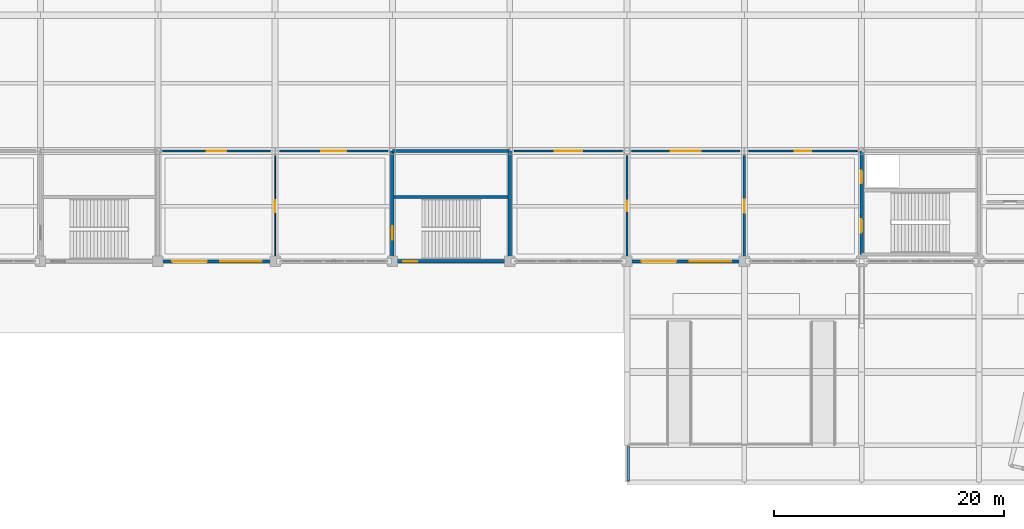
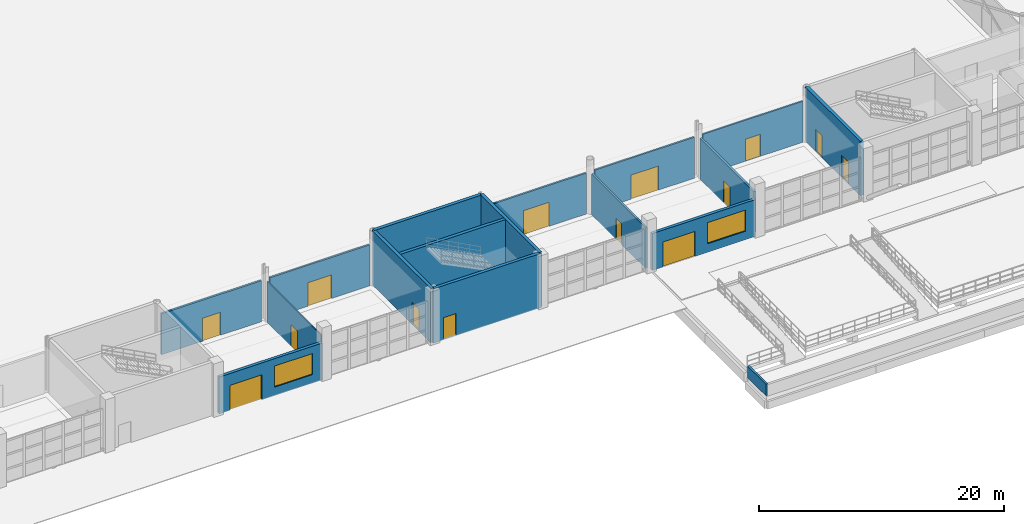
# One storey, part 87 of 124: 17 walls, 14 doors, 2 windows, 16 openings.
"""IFC4 building model written with IfcOpenShell, lengths in metres."""

from ifc_helpers import new_model, si_unit, direction, frame, frame_2d, origin, place, context, subcontext, project, spatial, rectangle, extrude, material, layer, layer_set, type_object, element, fill, save


model = new_model("IFC4")

# Units and contexts
model_context = context("Model", 3, precision=1e-05, world=origin(), true_north=direction((0.0, 1.0)))
body_context = subcontext(model_context, "Body", "Model", "MODEL_VIEW")
ifc_project = project(units=[si_unit("LENGTHUNIT", "METRE"), si_unit("AREAUNIT", "SQUARE_METRE"), si_unit("VOLUMEUNIT", "CUBIC_METRE"), si_unit("PLANEANGLEUNIT", "RADIAN"), si_unit("MASSUNIT", "GRAM", prefix="KILO")], contexts=[model_context])

# Site, building, storey
site_placement = place(None, origin())
site = spatial("IfcSite", under=ifc_project, at=site_placement, CompositionType="ELEMENT")
building_placement = place(site_placement, origin())
building = spatial("IfcBuilding", under=site, at=building_placement, Name="Brelvane Convention Centre", CompositionType="ELEMENT")
storey_placement = place(building_placement, origin())
storey = spatial("IfcBuildingStorey", under=building, at=storey_placement, Name="L00", CompositionType="ELEMENT", Elevation=0.0)

# Wall, openings, door, window
ifc_material_1 = material(Name="Insulated Autoclaved Aerated Concrete Block Grade 1", Category="concrete")
ifc_layer_1 = layer(ifc_material_1, 0.280029296875)
ifc_layer_set_1 = layer_set([ifc_layer_1], Name="Insulated Autoclaved Aerated Concrete Block Grade 1")
wall_type_1 = type_object("IfcWallType", Name="Exterior Wall EW-01", PredefinedType="STANDARD", material=ifc_layer_set_1)
wall_1_placement = place(storey_placement, frame((61.43994140625, 19.199951171875, 0.0), z_axis=(0.0, 0.0, 1.0), x_axis=(1.0, 0.0, 0.0)))
wall_1 = element("IfcWall", 1, at=wall_1_placement, inside=storey, type_object=wall_type_1, Name="Exterior Wall L00 V1S-B07", PredefinedType="STANDARD", context=body_context, shape_type="SweptSolid", body=[
    extrude(rectangle(XDim=9.719970703125, YDim=0.280029296875, at=frame_2d((4.85986328125, 0.0))), origin(), (0.0, 0.0, 1.0), 3.679931640625),
])
opening_1_placement = place(wall_1_placement, frame((1.027099609375, 0.0, 0.0)))
opening_1 = element("IfcOpeningElement", 2, at=opening_1_placement, cuts=wall_1, Name="Opening DR-EX-01", PredefinedType="OPENING", context=body_context, shape_type="SweptSolid", body=[
    extrude(rectangle(XDim=3.0, YDim=2.5, at=frame_2d((1.5, 1.25))), frame((0.0, 0.14990234375, 0.0), z_axis=(0.0, -1.0, 0.0), x_axis=(1.0, 0.0, 0.0)), (0.0, 0.0, 1.0), 0.300048828125),
])
opening_2_placement = place(wall_1_placement, frame((5.197998046875, 0.0, 0.85009765625)))
opening_2 = element("IfcOpeningElement", 3, at=opening_2_placement, cuts=wall_1, Name="Opening WN-03", PredefinedType="OPENING", context=body_context, shape_type="SweptSolid", body=[
    extrude(rectangle(XDim=3.60009765625, YDim=2.10009765625, at=frame_2d((1.800048828125, 1.050048828125))), frame((0.0, 0.14990234375, 0.0), z_axis=(0.0, -1.0, 0.0), x_axis=(1.0, 0.0, 0.0)), (0.0, 0.0, 1.0), 0.300048828125),
])
ifc_material_2 = material(Name="Anodised Aluminium Alloy 6063-T6", Category="aluminium")
door_type_1 = type_object("IfcDoorType", Name="Exterior Door DR-EX-01", OperationType="NOTDEFINED", PredefinedType="DOOR", material=ifc_material_2)
door_1_placement = place(opening_1_placement, frame((3.0, 0.0, 0.0), z_axis=(0.0, 0.0, 1.0), x_axis=(-1.0, 0.0, 0.0)))
door_1 = element("IfcDoor", 4, at=door_1_placement, inside=storey, type_object=door_type_1, Name="Final Exit Door CONC-S7A (DR-EX-01)", OperationType="DOUBLE_DOOR_SINGLE_SWING", OverallHeight=2.5, OverallWidth=3.0, PredefinedType="DOOR", context=body_context, shape_type="SweptSolid", body=[
    extrude(rectangle(XDim=3.0, YDim=2.5, at=frame_2d((1.5, 1.25))), frame((0.0, 0.02490234375, 0.0), z_axis=(0.0, -1.0, 0.0), x_axis=(1.0, 0.0, 0.0)), (0.0, 0.0, 1.0), 0.050048828125),
])
fill(opening_1, door_1)
ifc_material_3 = material(Name="Double Glazed Low-E Laminated Unit")
window_type = type_object("IfcWindowType", Name="Window WN-03", PartitioningType="TRIPLE_PANEL_VERTICAL", PredefinedType="WINDOW", material=ifc_material_3)
window_1_placement = place(opening_2_placement, origin())
window_1 = element("IfcWindow", 5, at=window_1_placement, inside=storey, type_object=window_type, Name="Facade Window L00-V1S-B07-003", OverallHeight=2.10009765625, OverallWidth=3.60009765625, PartitioningType="TRIPLE_PANEL_VERTICAL", PredefinedType="WINDOW", context=body_context, shape_type="SweptSolid", body=[
    extrude(rectangle(XDim=3.60009765625, YDim=2.10009765625, at=frame_2d((1.800048828125, 1.050048828125))), frame((0.0, 0.030029296875, 0.0), z_axis=(0.0, -1.0, 0.0), x_axis=(1.0, 0.0, 0.0)), (0.0, 0.0, 1.0), 0.06005859375),
])
fill(opening_2, window_1)

wall_2_placement = place(storey_placement, frame((102.239990234375, 19.199951171875, 0.0), z_axis=(0.0, 0.0, 1.0), x_axis=(1.0, 0.0, 0.0)))
wall_2 = element("IfcWall", 6, at=wall_2_placement, inside=storey, type_object=wall_type_1, Name="Exterior Wall L00 V1S-B11", PredefinedType="STANDARD", context=body_context, shape_type="SweptSolid", body=[
    extrude(rectangle(XDim=9.719970703125, YDim=0.280029296875, at=frame_2d((4.85986328125, 0.0))), origin(), (0.0, 0.0, 1.0), 3.679931640625),
])
opening_3_placement = place(wall_2_placement, frame((1.027099609375, 0.0, 0.0)))
opening_3 = element("IfcOpeningElement", 7, at=opening_3_placement, cuts=wall_2, Name="Opening DR-EX-01", PredefinedType="OPENING", context=body_context, shape_type="SweptSolid", body=[
    extrude(rectangle(XDim=3.0, YDim=2.5, at=frame_2d((1.5, 1.25))), frame((0.0, 0.14990234375, 0.0), z_axis=(0.0, -1.0, 0.0), x_axis=(1.0, 0.0, 0.0)), (0.0, 0.0, 1.0), 0.300048828125),
])
opening_4_placement = place(wall_2_placement, frame((5.197998046875, 0.0, 0.85009765625)))
opening_4 = element("IfcOpeningElement", 8, at=opening_4_placement, cuts=wall_2, Name="Opening WN-03", PredefinedType="OPENING", context=body_context, shape_type="SweptSolid", body=[
    extrude(rectangle(XDim=3.60009765625, YDim=2.10009765625, at=frame_2d((1.800048828125, 1.050048828125))), frame((0.0, 0.14990234375, 0.0), z_axis=(0.0, -1.0, 0.0), x_axis=(1.0, 0.0, 0.0)), (0.0, 0.0, 1.0), 0.300048828125),
])
door_2_placement = place(opening_3_placement, frame((3.0, 0.0, 0.0), z_axis=(0.0, 0.0, 1.0), x_axis=(-1.0, 0.0, 0.0)))
door_2 = element("IfcDoor", 9, at=door_2_placement, inside=storey, type_object=door_type_1, Name="Final Exit Door CONC-S11A (DR-EX-01)", OperationType="DOUBLE_DOOR_SINGLE_SWING", OverallHeight=2.5, OverallWidth=3.0, PredefinedType="DOOR", context=body_context, shape_type="SweptSolid", body=[
    extrude(rectangle(XDim=3.0, YDim=2.5, at=frame_2d((1.5, 1.25))), frame((0.0, 0.02490234375, 0.0), z_axis=(0.0, -1.0, 0.0), x_axis=(1.0, 0.0, 0.0)), (0.0, 0.0, 1.0), 0.050048828125),
])
fill(opening_3, door_2)
window_2_placement = place(opening_4_placement, origin())
window_2 = element("IfcWindow", 10, at=window_2_placement, inside=storey, type_object=window_type, Name="Facade Window L00-V1S-B11-004", OverallHeight=2.10009765625, OverallWidth=3.60009765625, PartitioningType="TRIPLE_PANEL_VERTICAL", PredefinedType="WINDOW", context=body_context, shape_type="SweptSolid", body=[
    extrude(rectangle(XDim=3.60009765625, YDim=2.10009765625, at=frame_2d((1.800048828125, 1.050048828125))), frame((0.0, 0.030029296875, 0.0), z_axis=(0.0, -1.0, 0.0), x_axis=(1.0, 0.0, 0.0)), (0.0, 0.0, 1.0), 0.06005859375),
])
fill(opening_4, window_2)

# Wall
ifc_material_4 = material(Name="Concrete M40", Category="concrete")
ifc_layer_2 = layer(ifc_material_4, 0.199951171875)
ifc_layer_set_2 = layer_set([ifc_layer_2], Name="Concrete M40")
wall_type_2 = type_object("IfcWallType", Name="Exterior Wall PW-01", PredefinedType="PARAPET", material=ifc_layer_set_2)
wall_3_placement = place(storey_placement, frame((102.10009765625, 3.1201171875, -0.89990234375), z_axis=(0.0, 0.0, 1.0), x_axis=(0.0, -1.0, 0.0)))
element("IfcWall", 11, at=wall_3_placement, inside=storey, type_object=wall_type_2, Name="Lower Boulevard Promenade Parapet 1", PredefinedType="PARAPET", context=body_context, shape_type="SweptSolid", body=[
    extrude(rectangle(XDim=3.02001953125, YDim=0.199951171875, at=frame_2d((1.510009765625, 0.0))), origin(), (0.0, 0.0, 1.0), 1.14990234375),
])

# Wall, opening, door
ifc_material_5 = material(Name="Fire-Rated Acoustic Gypsum Partition Board Grade A")
ifc_layer_3 = layer(ifc_material_5, 0.14501953125)
ifc_layer_set_3 = layer_set([ifc_layer_3], Name="Fire-Rated Acoustic Gypsum Partition Board Grade A")
wall_type_3 = type_object("IfcWallType", Name="Interior Wall IW-AC-145", PredefinedType="PARTITIONING", material=ifc_layer_set_3)
wall_4_placement = place(storey_placement, frame((112.60009765625, 28.800048828125, 0.0), z_axis=(0.0, 0.0, 1.0), x_axis=(1.0, 0.0, 0.0)))
wall_4 = element("IfcWall", 12, at=wall_4_placement, inside=storey, type_object=wall_type_3, Name="Interior Partition L00-EXH-S12", PredefinedType="PARTITIONING", context=body_context, shape_type="SweptSolid", body=[
    extrude(rectangle(XDim=9.39990234375, YDim=0.14501953125, at=frame_2d((4.699951171875, 0.0))), origin(), (0.0, 0.0, 1.0), 4.080078125),
])
opening_5_placement = place(wall_4_placement, frame((4.0, 0.0, 0.0)))
opening_5 = element("IfcOpeningElement", 13, at=opening_5_placement, cuts=wall_4, Name="Opening DR-IN-10", PredefinedType="OPENING", context=body_context, shape_type="SweptSolid", body=[
    extrude(rectangle(XDim=1.39990234375, YDim=2.199951171875, at=frame_2d((0.699951171875, 1.10009765625))), frame((0.0, 0.08251953125, 0.0), z_axis=(0.0, -1.0, 0.0), x_axis=(1.0, 0.0, 0.0)), (0.0, 0.0, 1.0), 0.1650390625),
])
ifc_material_6 = material(Name="Galvanised Hollow-Metal Fire Door Steel E250", Category="steel")
door_type_2 = type_object("IfcDoorType", Name="Interior Door DR-IN-10", OperationType="NOTDEFINED", PredefinedType="DOOR", material=ifc_material_6)
door_3_placement = place(opening_5_placement, origin())
door_3 = element("IfcDoor", 14, at=door_3_placement, inside=storey, type_object=door_type_2, Name="Interior Door L00-EXH-S12 (DR-IN-10)", OperationType="DOUBLE_DOOR_SINGLE_SWING", OverallHeight=2.199951171875, OverallWidth=1.39990234375, PredefinedType="DOOR", context=body_context, shape_type="SweptSolid", body=[
    extrude(rectangle(XDim=1.39990234375, YDim=2.199951171875, at=frame_2d((0.699951171875, 1.10009765625))), frame((0.0, 0.02490234375, 0.0), z_axis=(0.0, -1.0, 0.0), x_axis=(1.0, 0.0, 0.0)), (0.0, 0.0, 1.0), 0.050048828125),
])
fill(opening_5, door_3)

ifc_material_7 = material(Name="Fire-Rated Acoustic Gypsum Partition Board Grade A")
ifc_layer_4 = layer(ifc_material_7, 0.155029296875)
ifc_layer_set_4 = layer_set([ifc_layer_4], Name="Fire-Rated Acoustic Gypsum Partition Board Grade A")
wall_type_4 = type_object("IfcWallType", Name="Interior Wall IW-AC-155", PredefinedType="PARTITIONING", material=ifc_layer_set_4)
wall_5_placement = place(storey_placement, frame((102.39990234375, 28.800048828125, 0.0), z_axis=(0.0, 0.0, 1.0), x_axis=(1.0, 0.0, 0.0)))
wall_5 = element("IfcWall", 15, at=wall_5_placement, inside=storey, type_object=wall_type_4, Name="Interior Partition L00-EXH-S11", PredefinedType="PARTITIONING", context=body_context, shape_type="SweptSolid", body=[
    extrude(rectangle(XDim=9.400146484375, YDim=0.155029296875, at=frame_2d((4.7001953125, 0.0))), origin(), (0.0, 0.0, 1.0), 4.080078125),
])
opening_6_placement = place(wall_5_placement, frame((3.39990234375, 0.0, 0.0)))
opening_6 = element("IfcOpeningElement", 16, at=opening_6_placement, cuts=wall_5, Name="Opening DR-IN-09", PredefinedType="OPENING", context=body_context, shape_type="SweptSolid", body=[
    extrude(rectangle(XDim=2.60009765625, YDim=2.39990234375, at=frame_2d((1.300048828125, 1.199951171875))), frame((0.0, 0.08740234375, 0.0), z_axis=(0.0, -1.0, 0.0), x_axis=(1.0, 0.0, 0.0)), (0.0, 0.0, 1.0), 0.175048828125),
])
ifc_material_8 = material(Name="Galvanised Hollow-Metal Fire Door Steel E250", Category="steel")
door_type_3 = type_object("IfcDoorType", Name="Interior Door DR-IN-09", OperationType="NOTDEFINED", PredefinedType="DOOR", material=ifc_material_8)
door_4_placement = place(opening_6_placement, origin())
door_4 = element("IfcDoor", 17, at=door_4_placement, inside=storey, type_object=door_type_3, Name="Interior Door L00-EXH-S11 (DR-IN-09)", OperationType="DOUBLE_DOOR_SINGLE_SWING", OverallHeight=2.39990234375, OverallWidth=2.60009765625, PredefinedType="DOOR", context=body_context, shape_type="SweptSolid", body=[
    extrude(rectangle(XDim=2.60009765625, YDim=2.39990234375, at=frame_2d((1.300048828125, 1.199951171875))), frame((0.0, 0.02490234375, 0.0), z_axis=(0.0, -1.0, 0.0), x_axis=(1.0, 0.0, 0.0)), (0.0, 0.0, 1.0), 0.050048828125),
])
fill(opening_6, door_4)

ifc_material_9 = material(Name="Fire-Rated Acoustic Gypsum Partition Board Grade A")
ifc_layer_5 = layer(ifc_material_9, 0.1650390625)
ifc_layer_set_5 = layer_set([ifc_layer_5], Name="Fire-Rated Acoustic Gypsum Partition Board Grade A")
wall_type_5 = type_object("IfcWallType", Name="Interior Wall IW-AC-165", PredefinedType="PARTITIONING", material=ifc_layer_set_5)
wall_6_placement = place(storey_placement, frame((92.199951171875, 28.800048828125, 0.0), z_axis=(0.0, 0.0, 1.0), x_axis=(1.0, 0.0, 0.0)))
wall_6 = element("IfcWall", 18, at=wall_6_placement, inside=storey, type_object=wall_type_5, Name="Interior Partition L00-EXH-S10", PredefinedType="PARTITIONING", context=body_context, shape_type="SweptSolid", body=[
    extrude(rectangle(XDim=9.400146484375, YDim=0.1650390625, at=frame_2d((4.7001953125, 0.0))), origin(), (0.0, 0.0, 1.0), 4.080078125),
])
opening_7_placement = place(wall_6_placement, frame((3.5, 0.0, 0.0)))
opening_7 = element("IfcOpeningElement", 19, at=opening_7_placement, cuts=wall_6, Name="Opening DR-IN-08", PredefinedType="OPENING", context=body_context, shape_type="SweptSolid", body=[
    extrude(rectangle(XDim=2.39990234375, YDim=2.39990234375, at=frame_2d((1.199951171875, 1.199951171875))), frame((0.0, 0.092529296875, 0.0), z_axis=(0.0, -1.0, 0.0), x_axis=(1.0, 0.0, 0.0)), (0.0, 0.0, 1.0), 0.18505859375),
])
ifc_material_10 = material(Name="Solid-Core Fire-Rated Hardwood Leaf Grade 1", Category="wood")
door_type_4 = type_object("IfcDoorType", Name="Interior Door DR-IN-08", OperationType="NOTDEFINED", PredefinedType="DOOR", material=ifc_material_10)
door_5_placement = place(opening_7_placement, origin())
door_5 = element("IfcDoor", 20, at=door_5_placement, inside=storey, type_object=door_type_4, Name="Interior Door L00-EXH-S10 (DR-IN-08)", OperationType="DOUBLE_DOOR_SINGLE_SWING", OverallHeight=2.39990234375, OverallWidth=2.39990234375, PredefinedType="DOOR", context=body_context, shape_type="SweptSolid", body=[
    extrude(rectangle(XDim=2.39990234375, YDim=2.39990234375, at=frame_2d((1.199951171875, 1.199951171875))), frame((0.0, 0.02490234375, 0.0), z_axis=(0.0, -1.0, 0.0), x_axis=(1.0, 0.0, 0.0)), (0.0, 0.0, 1.0), 0.050048828125),
])
fill(opening_7, door_5)

ifc_material_11 = material(Name="Fire-Rated Acoustic Gypsum Partition Board Grade A")
ifc_layer_6 = layer(ifc_material_11, 0.175048828125)
ifc_layer_set_6 = layer_set([ifc_layer_6], Name="Fire-Rated Acoustic Gypsum Partition Board Grade A")
wall_type_6 = type_object("IfcWallType", Name="Interior Wall IW-AC-175", PredefinedType="PARTITIONING", material=ifc_layer_set_6)
wall_7_placement = place(storey_placement, frame((71.800048828125, 28.800048828125, 0.0), z_axis=(0.0, 0.0, 1.0), x_axis=(1.0, 0.0, 0.0)))
wall_7 = element("IfcWall", 21, at=wall_7_placement, inside=storey, type_object=wall_type_6, Name="Interior Partition L00-EXH-S08", PredefinedType="PARTITIONING", context=body_context, shape_type="SweptSolid", body=[
    extrude(rectangle(XDim=9.39990234375, YDim=0.175048828125, at=frame_2d((4.699951171875, 0.0))), origin(), (0.0, 0.0, 1.0), 4.080078125),
])
opening_8_placement = place(wall_7_placement, frame((3.60009765625, 0.0, 0.0)))
opening_8 = element("IfcOpeningElement", 22, at=opening_8_placement, cuts=wall_7, Name="Opening DR-IN-07", PredefinedType="OPENING", context=body_context, shape_type="SweptSolid", body=[
    extrude(rectangle(XDim=2.199951171875, YDim=2.35009765625, at=frame_2d((1.10009765625, 1.175048828125))), frame((0.0, 0.097412109375, 0.0), z_axis=(0.0, -1.0, 0.0), x_axis=(1.0, 0.0, 0.0)), (0.0, 0.0, 1.0), 0.195068359375),
])
ifc_material_12 = material(Name="Solid-Core Fire-Rated Hardwood Leaf Grade 1", Category="wood")
door_type_5 = type_object("IfcDoorType", Name="Interior Door DR-IN-07", OperationType="NOTDEFINED", PredefinedType="DOOR", material=ifc_material_12)
door_6_placement = place(opening_8_placement, origin())
door_6 = element("IfcDoor", 23, at=door_6_placement, inside=storey, type_object=door_type_5, Name="Interior Door L00-EXH-S08 (DR-IN-07)", OperationType="DOUBLE_DOOR_SINGLE_SWING", OverallHeight=2.35009765625, OverallWidth=2.199951171875, PredefinedType="DOOR", context=body_context, shape_type="SweptSolid", body=[
    extrude(rectangle(XDim=2.199951171875, YDim=2.35009765625, at=frame_2d((1.10009765625, 1.175048828125))), frame((0.0, 0.02490234375, 0.0), z_axis=(0.0, -1.0, 0.0), x_axis=(1.0, 0.0, 0.0)), (0.0, 0.0, 1.0), 0.050048828125),
])
fill(opening_8, door_6)

wall_8_placement = place(storey_placement, frame((102.0, 19.60009765625, 0.0), z_axis=(0.0, 0.0, 1.0), x_axis=(0.0, 1.0, 0.0)))
wall_8 = element("IfcWall", 24, at=wall_8_placement, inside=storey, type_object=wall_type_6, Name="Interior Partition L00-FOYE1", PredefinedType="PARTITIONING", context=body_context, shape_type="SweptSolid", body=[
    extrude(rectangle(XDim=8.7998046875, YDim=0.175048828125, at=frame_2d((4.39990234375, 0.0))), origin(), (0.0, 0.0, 1.0), 4.080078125),
])
opening_9_placement = place(wall_8_placement, frame((3.93994140625, 0.0, 0.0)))
opening_9 = element("IfcOpeningElement", 25, at=opening_9_placement, cuts=wall_8, Name="Opening DR-IN-03L", PredefinedType="OPENING", context=body_context, shape_type="SweptSolid", body=[
    extrude(rectangle(XDim=0.919921875, YDim=2.10009765625, at=frame_2d((0.4599609375, 1.050048828125))), frame((0.0, 0.097412109375, 0.0), z_axis=(0.0, -1.0, 0.0), x_axis=(1.0, 0.0, 0.0)), (0.0, 0.0, 1.0), 0.195068359375),
])
ifc_material_13 = material(Name="Solid-Core Fire-Rated Hardwood Leaf Grade 1", Category="wood")
door_type_6 = type_object("IfcDoorType", Name="Interior Door DR-IN-03L", OperationType="NOTDEFINED", PredefinedType="DOOR", material=ifc_material_13)
door_7_placement = place(opening_9_placement, origin())
door_7 = element("IfcDoor", 26, at=door_7_placement, inside=storey, type_object=door_type_6, Name="Interior Door L00-FOYE1 (DR-IN-03L)", OperationType="SINGLE_SWING_LEFT", OverallHeight=2.10009765625, OverallWidth=0.919921875, PredefinedType="DOOR", context=body_context, shape_type="SweptSolid", body=[
    extrude(rectangle(XDim=0.919921875, YDim=2.10009765625, at=frame_2d((0.4599609375, 1.050048828125))), frame((0.0, 0.02490234375, 0.0), z_axis=(0.0, -1.0, 0.0), x_axis=(1.0, 0.0, 0.0)), (0.0, 0.0, 1.0), 0.050048828125),
])
fill(opening_9, door_7)

ifc_material_14 = material(Name="Fire-Rated Acoustic Gypsum Partition Board Grade A")
ifc_layer_7 = layer(ifc_material_14, 0.18505859375)
ifc_layer_set_7 = layer_set([ifc_layer_7], Name="Fire-Rated Acoustic Gypsum Partition Board Grade A")
wall_type_7 = type_object("IfcWallType", Name="Interior Wall IW-AC-185", PredefinedType="PARTITIONING", material=ifc_layer_set_7)
wall_9_placement = place(storey_placement, frame((61.60009765625, 28.800048828125, 0.0), z_axis=(0.0, 0.0, 1.0), x_axis=(1.0, 0.0, 0.0)))
wall_9 = element("IfcWall", 27, at=wall_9_placement, inside=storey, type_object=wall_type_7, Name="Interior Partition L00-EXH-S07", PredefinedType="PARTITIONING", context=body_context, shape_type="SweptSolid", body=[
    extrude(rectangle(XDim=9.39990234375, YDim=0.18505859375, at=frame_2d((4.699951171875, 0.0))), origin(), (0.0, 0.0, 1.0), 4.080078125),
])
opening_10_placement = place(wall_9_placement, frame((3.85009765625, 0.0, 0.0)))
opening_10 = element("IfcOpeningElement", 28, at=opening_10_placement, cuts=wall_9, Name="Opening DR-IN-06", PredefinedType="OPENING", context=body_context, shape_type="SweptSolid", body=[
    extrude(rectangle(XDim=1.699951171875, YDim=2.300048828125, at=frame_2d((0.85009765625, 1.14990234375))), frame((0.0, 0.1025390625, 0.0), z_axis=(0.0, -1.0, 0.0), x_axis=(1.0, 0.0, 0.0)), (0.0, 0.0, 1.0), 0.205078125),
])
ifc_material_15 = material(Name="Solid-Core Fire-Rated Hardwood Leaf Grade 1", Category="wood")
door_type_7 = type_object("IfcDoorType", Name="Interior Door DR-IN-06", OperationType="NOTDEFINED", PredefinedType="DOOR", material=ifc_material_15)
door_8_placement = place(opening_10_placement, origin())
door_8 = element("IfcDoor", 29, at=door_8_placement, inside=storey, type_object=door_type_7, Name="Interior Door L00-EXH-S07 (DR-IN-06)", OperationType="DOUBLE_DOOR_SINGLE_SWING", OverallHeight=2.300048828125, OverallWidth=1.699951171875, PredefinedType="DOOR", context=body_context, shape_type="SweptSolid", body=[
    extrude(rectangle(XDim=1.699951171875, YDim=2.300048828125, at=frame_2d((0.85009765625, 1.14990234375))), frame((0.0, 0.02490234375, 0.0), z_axis=(0.0, -1.0, 0.0), x_axis=(1.0, 0.0, 0.0)), (0.0, 0.0, 1.0), 0.050048828125),
])
fill(opening_10, door_8)

ifc_material_16 = material(Name="Fire-Rated Acoustic Gypsum Partition Board Grade A")
ifc_layer_8 = layer(ifc_material_16, 0.199951171875)
ifc_layer_set_8 = layer_set([ifc_layer_8], Name="Fire-Rated Acoustic Gypsum Partition Board Grade A")
wall_type_8 = type_object("IfcWallType", Name="Interior Wall IW-FR-200", PredefinedType="PARTITIONING", material=ifc_layer_set_8)
wall_10_placement = place(storey_placement, frame((112.199951171875, 19.60009765625, 0.0), z_axis=(0.0, 0.0, 1.0), x_axis=(0.0, 1.0, 0.0)))
wall_10 = element("IfcWall", 30, at=wall_10_placement, inside=storey, type_object=wall_type_8, Name="Interior Partition L00-FOYE2", PredefinedType="PARTITIONING", context=body_context, shape_type="SweptSolid", body=[
    extrude(rectangle(XDim=8.7998046875, YDim=0.199951171875, at=frame_2d((4.39990234375, 0.0))), origin(), (0.0, 0.0, 1.0), 4.080078125),
])
opening_11_placement = place(wall_10_placement, frame((3.85009765625, 0.0, 0.0)))
opening_11 = element("IfcOpeningElement", 31, at=opening_11_placement, cuts=wall_10, Name="Opening DR-IN-02L", PredefinedType="OPENING", context=body_context, shape_type="SweptSolid", body=[
    extrude(rectangle(XDim=1.10009765625, YDim=2.199951171875, at=frame_2d((0.550048828125, 1.10009765625))), frame((0.0, 0.10986328125, 0.0), z_axis=(0.0, -1.0, 0.0), x_axis=(1.0, 0.0, 0.0)), (0.0, 0.0, 1.0), 0.219970703125),
])
ifc_material_17 = material(Name="Solid-Core Fire-Rated Hardwood Leaf Grade 1", Category="wood")
door_type_8 = type_object("IfcDoorType", Name="Interior Door DR-IN-02L", OperationType="NOTDEFINED", PredefinedType="DOOR", material=ifc_material_17)
door_9_placement = place(opening_11_placement, origin())
door_9 = element("IfcDoor", 32, at=door_9_placement, inside=storey, type_object=door_type_8, Name="Interior Door L00-FOYE2 (DR-IN-02L)", OperationType="SINGLE_SWING_LEFT", OverallHeight=2.199951171875, OverallWidth=1.10009765625, PredefinedType="DOOR", context=body_context, shape_type="SweptSolid", body=[
    extrude(rectangle(XDim=1.10009765625, YDim=2.199951171875, at=frame_2d((0.550048828125, 1.10009765625))), frame((0.0, 0.02490234375, 0.0), z_axis=(0.0, -1.0, 0.0), x_axis=(1.0, 0.0, 0.0)), (0.0, 0.0, 1.0), 0.050048828125),
])
fill(opening_11, door_9)

ifc_material_18 = material(Name="Fire-Rated Acoustic Gypsum Partition Board Grade A")
ifc_layer_9 = layer(ifc_material_18, 0.10498046875)
ifc_layer_set_9 = layer_set([ifc_layer_9], Name="Fire-Rated Acoustic Gypsum Partition Board Grade A")
wall_type_9 = type_object("IfcWallType", Name="Interior Wall IW-PT-105", PredefinedType="PARTITIONING", material=ifc_layer_set_9)
wall_11_placement = place(storey_placement, frame((71.39990234375, 19.60009765625, 0.0), z_axis=(0.0, 0.0, 1.0), x_axis=(0.0, 1.0, 0.0)))
wall_11 = element("IfcWall", 33, at=wall_11_placement, inside=storey, type_object=wall_type_9, Name="Interior Partition L00-TICK1", PredefinedType="PARTITIONING", context=body_context, shape_type="SweptSolid", body=[
    extrude(rectangle(XDim=8.7998046875, YDim=0.10498046875, at=frame_2d((4.39990234375, 0.0))), origin(), (0.0, 0.0, 1.0), 4.080078125),
])
opening_12_placement = place(wall_11_placement, frame((3.875, 0.0, 0.0)))
opening_12 = element("IfcOpeningElement", 34, at=opening_12_placement, cuts=wall_11, Name="Opening DR-IN-01R", PredefinedType="OPENING", context=body_context, shape_type="SweptSolid", body=[
    extrude(rectangle(XDim=1.050048828125, YDim=2.14990234375, at=frame_2d((0.52490234375, 1.074951171875))), frame((0.0, 0.0625, 0.0), z_axis=(0.0, -1.0, 0.0), x_axis=(1.0, 0.0, 0.0)), (0.0, 0.0, 1.0), 0.125),
])
ifc_material_19 = material(Name="Solid-Core Fire-Rated Hardwood Leaf Grade 1", Category="wood")
door_type_9 = type_object("IfcDoorType", Name="Interior Door DR-IN-01R", OperationType="NOTDEFINED", PredefinedType="DOOR", material=ifc_material_19)
door_10_placement = place(opening_12_placement, origin())
door_10 = element("IfcDoor", 35, at=door_10_placement, inside=storey, type_object=door_type_9, Name="Interior Door L00-TICK1 (DR-IN-01R)", OperationType="SINGLE_SWING_RIGHT", OverallHeight=2.14990234375, OverallWidth=1.050048828125, PredefinedType="DOOR", context=body_context, shape_type="SweptSolid", body=[
    extrude(rectangle(XDim=1.050048828125, YDim=2.14990234375, at=frame_2d((0.52490234375, 1.074951171875))), frame((0.0, 0.02490234375, 0.0), z_axis=(0.0, -1.0, 0.0), x_axis=(1.0, 0.0, 0.0)), (0.0, 0.0, 1.0), 0.050048828125),
])
fill(opening_12, door_10)

# Wall, openings, doors
ifc_material_20 = material(Name="Concrete M50", Category="concrete")
ifc_layer_10 = layer(ifc_material_20, 0.300048828125)
ifc_layer_set_10 = layer_set([ifc_layer_10], Name="Concrete M50")
wall_type_10 = type_object("IfcWallType", Name="Structural Wall WL-CORE-300", PredefinedType="SHEAR", material=ifc_layer_set_10)
wall_12_placement = place(storey_placement, frame((122.39990234375, 19.800048828125, 0.0), z_axis=(0.0, 0.0, 1.0), x_axis=(0.0, 1.0, 0.0)))
wall_12 = element("IfcWall", 36, at=wall_12_placement, inside=storey, type_object=wall_type_10, Name="Core C2 Shear Wall W (L00)", PredefinedType="SHEAR", context=body_context, shape_type="SweptSolid", body=[
    extrude(rectangle(XDim=9.0, YDim=0.300048828125, at=frame_2d((4.5, 0.0))), origin(), (0.0, 0.0, 1.0), 5.39990234375),
])
opening_13_placement = place(wall_12_placement, frame((1.89990234375, 0.0, 0.0)))
opening_13 = element("IfcOpeningElement", 37, at=opening_13_placement, cuts=wall_12, Name="Opening DR-IN-04L", PredefinedType="OPENING", context=body_context, shape_type="SweptSolid", body=[
    extrude(rectangle(XDim=1.159912109375, YDim=2.199951171875, at=frame_2d((0.580078125, 1.10009765625))), frame((0.0, 0.159912109375, 0.0), z_axis=(0.0, -1.0, 0.0), x_axis=(1.0, 0.0, 0.0)), (0.0, 0.0, 1.0), 0.320068359375),
])
opening_14_placement = place(wall_12_placement, frame((6.199951171875, 0.0, 0.0)))
opening_14 = element("IfcOpeningElement", 38, at=opening_14_placement, cuts=wall_12, Name="Opening LD-02", PredefinedType="OPENING", context=body_context, shape_type="SweptSolid", body=[
    extrude(rectangle(XDim=1.10009765625, YDim=2.199951171875, at=frame_2d((0.550048828125, 1.10009765625))), frame((0.0, 0.159912109375, 0.0), z_axis=(0.0, -1.0, 0.0), x_axis=(1.0, 0.0, 0.0)), (0.0, 0.0, 1.0), 0.320068359375),
])
ifc_material_21 = material(Name="Galvanised Hollow-Metal Fire Door Steel E250", Category="steel")
door_type_10 = type_object("IfcDoorType", Name="Interior Door DR-IN-04L", OperationType="NOTDEFINED", PredefinedType="DOOR", material=ifc_material_21)
door_11_placement = place(opening_13_placement, origin())
door_11 = element("IfcDoor", 39, at=door_11_placement, inside=storey, type_object=door_type_10, Name="Stair ST-02 Door (L00)", OperationType="SINGLE_SWING_LEFT", OverallHeight=2.199951171875, OverallWidth=1.159912109375, PredefinedType="DOOR", context=body_context, shape_type="SweptSolid", body=[
    extrude(rectangle(XDim=1.159912109375, YDim=2.199951171875, at=frame_2d((0.580078125, 1.10009765625))), frame((0.0, 0.02490234375, 0.0), z_axis=(0.0, -1.0, 0.0), x_axis=(1.0, 0.0, 0.0)), (0.0, 0.0, 1.0), 0.050048828125),
])
fill(opening_13, door_11)
ifc_material_22 = material(Name="Galvanised Hollow-Metal Fire Door Steel E250", Category="steel")
door_type_11 = type_object("IfcDoorType", Name="Interior Door LD-02", OperationType="NOTDEFINED", PredefinedType="DOOR", material=ifc_material_22)
door_12_placement = place(opening_14_placement, origin())
door_12 = element("IfcDoor", 40, at=door_12_placement, inside=storey, type_object=door_type_11, Name="Lift LP-01 Landing Door (L00)", OperationType="SLIDING_TO_RIGHT", OverallHeight=2.199951171875, OverallWidth=1.10009765625, PredefinedType="DOOR", context=body_context, shape_type="SweptSolid", body=[
    extrude(rectangle(XDim=1.10009765625, YDim=2.199951171875, at=frame_2d((0.550048828125, 1.10009765625))), frame((0.0, 0.02490234375, 0.0), z_axis=(0.0, -1.0, 0.0), x_axis=(1.0, 0.0, 0.0)), (0.0, 0.0, 1.0), 0.050048828125),
])
fill(opening_14, door_12)

# Wall, opening, door
wall_13_placement = place(storey_placement, frame((81.60009765625, 19.199951171875, 0.0), z_axis=(0.0, 0.0, 1.0), x_axis=(1.0, 0.0, 0.0)))
wall_13 = element("IfcWall", 41, at=wall_13_placement, inside=storey, type_object=wall_type_10, Name="Stair Core ST-10 Wall S (L00)", PredefinedType="SHEAR", context=body_context, shape_type="SweptSolid", body=[
    extrude(rectangle(XDim=10.199951171875, YDim=0.300048828125, at=frame_2d((5.10009765625, 0.0))), origin(), (0.0, 0.0, 1.0), 5.39990234375),
])
opening_15_placement = place(wall_13_placement, frame((0.949951171875, 0.0, 0.0)))
opening_15 = element("IfcOpeningElement", 42, at=opening_15_placement, cuts=wall_13, Name="Opening DR-EX-08", PredefinedType="OPENING", context=body_context, shape_type="SweptSolid", body=[
    extrude(rectangle(XDim=1.199951171875, YDim=2.199951171875, at=frame_2d((0.60009765625, 1.10009765625))), frame((0.0, 0.159912109375, 0.0), z_axis=(0.0, -1.0, 0.0), x_axis=(1.0, 0.0, 0.0)), (0.0, 0.0, 1.0), 0.320068359375),
])
ifc_material_23 = material(Name="Anodised Aluminium Alloy 6063-T6", Category="aluminium")
door_type_12 = type_object("IfcDoorType", Name="Exterior Door DR-EX-08", OperationType="NOTDEFINED", PredefinedType="DOOR", material=ifc_material_23)
door_13_placement = place(opening_15_placement, frame((1.199951171875, 0.0, 0.0), z_axis=(0.0, 0.0, 1.0), x_axis=(-1.0, 0.0, 0.0)))
door_13 = element("IfcDoor", 43, at=door_13_placement, inside=storey, type_object=door_type_12, Name="Stair ST-10 Final Exit Door", OperationType="SINGLE_SWING_LEFT", OverallHeight=2.199951171875, OverallWidth=1.199951171875, PredefinedType="DOOR", context=body_context, shape_type="SweptSolid", body=[
    extrude(rectangle(XDim=1.199951171875, YDim=2.199951171875, at=frame_2d((0.60009765625, 1.10009765625))), frame((0.0, 0.02490234375, 0.0), z_axis=(0.0, -1.0, 0.0), x_axis=(1.0, 0.0, 0.0)), (0.0, 0.0, 1.0), 0.050048828125),
])
fill(opening_15, door_13)

# Wall
wall_14_placement = place(storey_placement, frame((81.60009765625, 28.800048828125, 0.0), z_axis=(0.0, 0.0, 1.0), x_axis=(1.0, 0.0, 0.0)))
element("IfcWall", 44, at=wall_14_placement, inside=storey, type_object=wall_type_10, Name="Stair Core ST-10 Wall N (L00)", PredefinedType="SHEAR", context=body_context, shape_type="SweptSolid", body=[
    extrude(rectangle(XDim=10.199951171875, YDim=0.300048828125, at=frame_2d((5.10009765625, 0.0))), origin(), (0.0, 0.0, 1.0), 5.39990234375),
])

# Wall, opening, door
wall_15_placement = place(storey_placement, frame((81.60009765625, 19.199951171875, 0.0), z_axis=(0.0, 0.0, 1.0), x_axis=(0.0, 1.0, 0.0)))
wall_15 = element("IfcWall", 45, at=wall_15_placement, inside=storey, type_object=wall_type_10, Name="Stair Core ST-10 Wall W (L00)", PredefinedType="SHEAR", context=body_context, shape_type="SweptSolid", body=[
    extrude(rectangle(XDim=9.60009765625, YDim=0.300048828125, at=frame_2d((4.800048828125, 0.0))), origin(), (0.0, 0.0, 1.0), 5.39990234375),
])
opening_16_placement = place(wall_15_placement, frame((1.89990234375, 0.0, 0.0)))
opening_16 = element("IfcOpeningElement", 46, at=opening_16_placement, cuts=wall_15, Name="Opening DR-IN-04L", PredefinedType="OPENING", context=body_context, shape_type="SweptSolid", body=[
    extrude(rectangle(XDim=1.159912109375, YDim=2.199951171875, at=frame_2d((0.580078125, 1.10009765625))), frame((0.0, 0.159912109375, 0.0), z_axis=(0.0, -1.0, 0.0), x_axis=(1.0, 0.0, 0.0)), (0.0, 0.0, 1.0), 0.320068359375),
])
door_14_placement = place(opening_16_placement, origin())
door_14 = element("IfcDoor", 47, at=door_14_placement, inside=storey, type_object=door_type_10, Name="Stair ST-10 Entry Door (L00)", OperationType="SINGLE_SWING_LEFT", OverallHeight=2.199951171875, OverallWidth=1.159912109375, PredefinedType="DOOR", context=body_context, shape_type="SweptSolid", body=[
    extrude(rectangle(XDim=1.159912109375, YDim=2.199951171875, at=frame_2d((0.580078125, 1.10009765625))), frame((0.0, 0.02490234375, 0.0), z_axis=(0.0, -1.0, 0.0), x_axis=(1.0, 0.0, 0.0)), (0.0, 0.0, 1.0), 0.050048828125),
])
fill(opening_16, door_14)

# Walls
wall_16_placement = place(storey_placement, frame((91.800048828125, 19.199951171875, 0.0), z_axis=(0.0, 0.0, 1.0), x_axis=(0.0, 1.0, 0.0)))
element("IfcWall", 48, at=wall_16_placement, inside=storey, type_object=wall_type_10, Name="Stair Core ST-10 Wall E (L00)", PredefinedType="SHEAR", context=body_context, shape_type="SweptSolid", body=[
    extrude(rectangle(XDim=9.60009765625, YDim=0.300048828125, at=frame_2d((4.800048828125, 0.0))), origin(), (0.0, 0.0, 1.0), 5.39990234375),
])
wall_17_placement = place(storey_placement, frame((81.75, 24.800048828125, 0.0), z_axis=(0.0, 0.0, 1.0), x_axis=(1.0, 0.0, 0.0)))
element("IfcWall", 49, at=wall_17_placement, inside=storey, type_object=wall_type_10, Name="Stair Core ST-10 Well Wall (L00)", PredefinedType="SHEAR", context=body_context, shape_type="SweptSolid", body=[
    extrude(rectangle(XDim=9.89990234375, YDim=0.300048828125, at=frame_2d((4.949951171875, 0.0))), origin(), (0.0, 0.0, 1.0), 5.39990234375),
])

save(model, "model.ifc")
